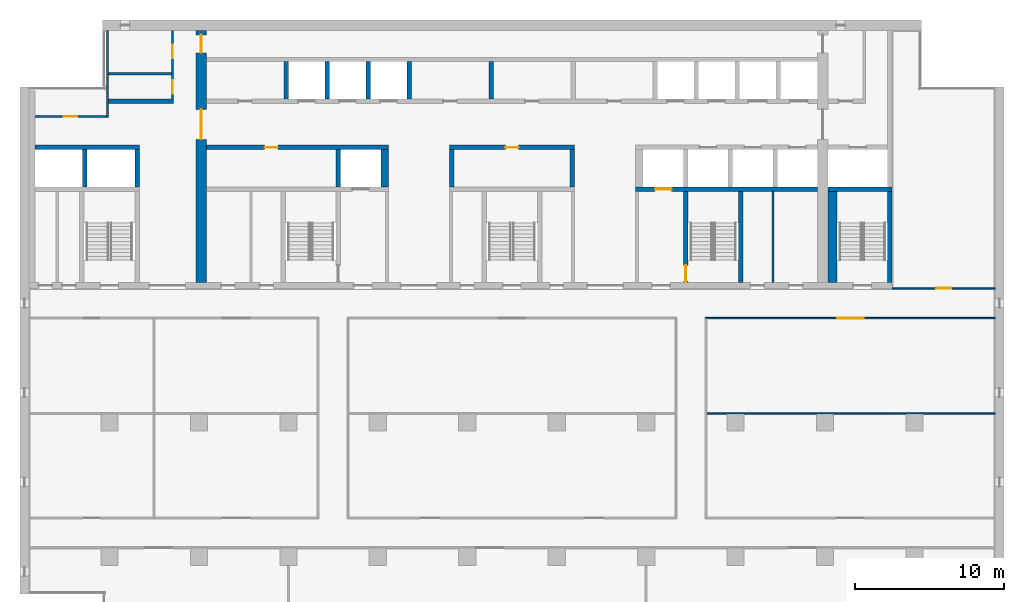
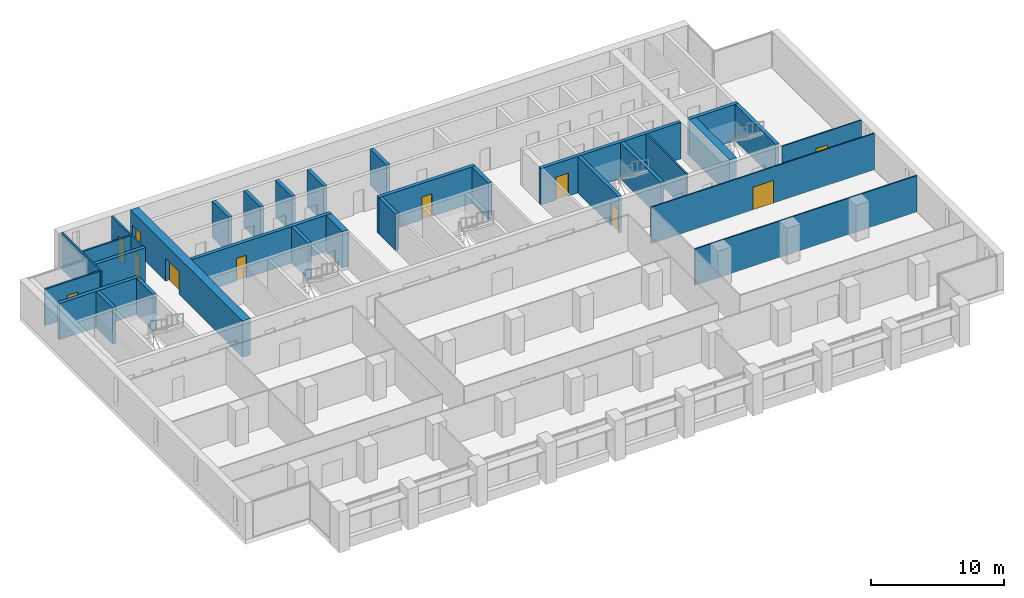
# One storey, part 10 of 16: 30 walls, 11 doors, 11 openings.
"""IFC4 building model written with IfcOpenShell, lengths in metres."""

from ifc_helpers import new_model, si_unit, direction, frame, frame_2d, origin, place, context, subcontext, project, spatial, rectangle, extrude, material, layer, layer_set, type_object, element, fill, save


model = new_model("IFC4")

# Units and contexts
model_context = context("Model", 3, precision=1e-05, world=origin(), true_north=direction((0.0, 1.0)))
body_context = subcontext(model_context, "Body", "Model", "MODEL_VIEW")
ifc_project = project(units=[si_unit("LENGTHUNIT", "METRE"), si_unit("AREAUNIT", "SQUARE_METRE"), si_unit("VOLUMEUNIT", "CUBIC_METRE"), si_unit("PLANEANGLEUNIT", "RADIAN"), si_unit("MASSUNIT", "GRAM", prefix="KILO")], contexts=[model_context])

# Site, building, storey
site_placement = place(None, origin())
site = spatial("IfcSite", under=ifc_project, at=site_placement, CompositionType="ELEMENT")
building_placement = place(site_placement, origin())
building = spatial("IfcBuilding", under=site, at=building_placement, Name="Calvaro Tower", CompositionType="ELEMENT")
storey_placement = place(building_placement, frame((0.0, 0.0, 181.75)))
storey = spatial("IfcBuildingStorey", under=building, at=storey_placement, Name="L45", CompositionType="ELEMENT", Elevation=181.75)

# Walls
ifc_material_1 = material(Name="Blockwork partition", Category="masonry")
ifc_layer_1 = layer(ifc_material_1, 0.14990234375)
ifc_layer_set_1 = layer_set([ifc_layer_1], Name="Blockwork partition")
wall_type_1 = type_object("IfcWallType", Name="Core partition 150 EI 60", PredefinedType="PARTITIONING", material=ifc_layer_set_1)
wall_1_placement = place(storey_placement, frame((56.5, 28.39990234375, 0.0), z_axis=(0.0, 0.0, 1.0), x_axis=(0.0, 1.0, 0.0)))
element("IfcWall", 1, at=wall_1_placement, inside=storey, type_object=wall_type_1, Name="Core partition", PredefinedType="PARTITIONING", context=body_context, shape_type="SweptSolid", body=[
    extrude(rectangle(XDim=6.10009765625, YDim=0.14990234375, at=frame_2d((3.050048828125, 0.0))), origin(), (0.0, 0.0, 1.0), 3.35009765625),
])
wall_2_placement = place(storey_placement, frame((11.949951171875, 42.39990234375, 0.0), z_axis=(0.0, 0.0, 1.0), x_axis=(1.0, 0.0, 0.0)))
element("IfcWall", 2, at=wall_2_placement, inside=storey, type_object=wall_type_1, Name="Core partition", PredefinedType="PARTITIONING", context=body_context, shape_type="SweptSolid", body=[
    extrude(rectangle(XDim=4.199951171875, YDim=0.14990234375, at=frame_2d((2.10009765625, 0.0))), origin(), (0.0, 0.0, 1.0), 3.35009765625),
])

# Wall, openings, doors
ifc_material_2 = material(Name="Blockwork partition", Category="masonry")
ifc_layer_2 = layer(ifc_material_2, 0.14990234375)
ifc_layer_set_2 = layer_set([ifc_layer_2], Name="Blockwork partition")
wall_type_2 = type_object("IfcWallType", Name="Core partition 150 REI 120", PredefinedType="PARTITIONING", material=ifc_layer_set_2)
wall_3_placement = place(storey_placement, frame((16.22509765625, 45.300048828125, 0.0), z_axis=(0.0, 0.0, 1.0), x_axis=(0.0, -1.0, 0.0)))
wall_3 = element("IfcWall", 3, at=wall_3_placement, inside=storey, type_object=wall_type_2, Name="Core partition", PredefinedType="PARTITIONING", context=body_context, shape_type="SweptSolid", body=[
    extrude(rectangle(XDim=4.60009765625, YDim=0.14990234375, at=frame_2d((2.300048828125, 0.0))), origin(), (0.0, 0.0, 1.0), 3.35009765625),
])
opening_1_placement = place(wall_3_placement, frame((3.33740234375, 0.0, 0.0)))
opening_1 = element("IfcOpeningElement", 4, at=opening_1_placement, cuts=wall_3, Name="Opening RD9", PredefinedType="OPENING", context=body_context, shape_type="SweptSolid", body=[
    extrude(rectangle(XDim=0.89990234375, YDim=2.10009765625, at=frame_2d((0.449951171875, 1.050048828125))), frame((0.0, 0.0849609375, 0.0), z_axis=(0.0, -1.0, 0.0), x_axis=(1.0, 0.0, 0.0)), (0.0, 0.0, 1.0), 0.169921875),
])
opening_2_placement = place(wall_3_placement, frame((0.96240234375, 0.0, 0.0)))
opening_2 = element("IfcOpeningElement", 5, at=opening_2_placement, cuts=wall_3, Name="Opening RD9", PredefinedType="OPENING", context=body_context, shape_type="SweptSolid", body=[
    extrude(rectangle(XDim=0.89990234375, YDim=2.10009765625, at=frame_2d((0.449951171875, 1.050048828125))), frame((0.0, 0.0849609375, 0.0), z_axis=(0.0, -1.0, 0.0), x_axis=(1.0, 0.0, 0.0)), (0.0, 0.0, 1.0), 0.169921875),
])
ifc_material_3 = material(Name="Steel door set", Category="steel")
door_type_1 = type_object("IfcDoorType", Name="Room door 900", OperationType="SINGLE_SWING_LEFT", PredefinedType="DOOR", material=ifc_material_3)
door_1_placement = place(opening_1_placement, origin())
door_1 = element("IfcDoor", 6, at=door_1_placement, inside=storey, type_object=door_type_1, Name="Room door", OperationType="SINGLE_SWING_RIGHT", OverallHeight=2.10009765625, OverallWidth=0.89990234375, PredefinedType="DOOR", context=body_context, shape_type="SweptSolid", body=[
    extrude(rectangle(XDim=0.89990234375, YDim=2.10009765625, at=frame_2d((0.449951171875, 1.050048828125))), frame((0.0, 0.02490234375, 0.0), z_axis=(0.0, -1.0, 0.0), x_axis=(1.0, 0.0, 0.0)), (0.0, 0.0, 1.0), 0.050048828125),
])
fill(opening_1, door_1)
door_2_placement = place(opening_2_placement, origin())
door_2 = element("IfcDoor", 7, at=door_2_placement, inside=storey, type_object=door_type_1, Name="Room door", OperationType="SINGLE_SWING_LEFT", OverallHeight=2.10009765625, OverallWidth=0.89990234375, PredefinedType="DOOR", context=body_context, shape_type="SweptSolid", body=[
    extrude(rectangle(XDim=0.89990234375, YDim=2.10009765625, at=frame_2d((0.449951171875, 1.050048828125))), frame((0.0, 0.02490234375, 0.0), z_axis=(0.0, -1.0, 0.0), x_axis=(1.0, 0.0, 0.0)), (0.0, 0.0, 1.0), 0.050048828125),
])
fill(opening_2, door_2)

# Wall
wall_4_placement = place(storey_placement, frame((11.875, 39.449951171875, 0.0), z_axis=(0.0, 0.0, 1.0), x_axis=(0.0, 1.0, 0.0)))
element("IfcWall", 8, at=wall_4_placement, inside=storey, type_object=wall_type_2, Name="Core partition", PredefinedType="PARTITIONING", context=body_context, shape_type="SweptSolid", body=[
    extrude(rectangle(XDim=5.85009765625, YDim=0.14990234375, at=frame_2d((2.925048828125, 0.0))), origin(), (0.0, 0.0, 1.0), 3.35009765625),
])

# Wall, opening, door
wall_5_placement = place(storey_placement, frame((7.0, 39.52490234375, 0.0), z_axis=(0.0, 0.0, 1.0), x_axis=(1.0, 0.0, 0.0)))
wall_5 = element("IfcWall", 9, at=wall_5_placement, inside=storey, type_object=wall_type_2, Name="Core partition", PredefinedType="PARTITIONING", context=body_context, shape_type="SweptSolid", body=[
    extrude(rectangle(XDim=4.800048828125, YDim=0.14990234375, at=frame_2d((2.39990234375, 0.0))), origin(), (0.0, 0.0, 1.0), 3.35009765625),
])
opening_3_placement = place(wall_5_placement, frame((1.949951171875, 0.0, 0.0)))
opening_3 = element("IfcOpeningElement", 10, at=opening_3_placement, cuts=wall_5, Name="Opening RD9", PredefinedType="OPENING", context=body_context, shape_type="SweptSolid", body=[
    extrude(rectangle(XDim=0.89990234375, YDim=2.10009765625, at=frame_2d((0.449951171875, 1.050048828125))), frame((0.0, 0.0849609375, 0.0), z_axis=(0.0, -1.0, 0.0), x_axis=(1.0, 0.0, 0.0)), (0.0, 0.0, 1.0), 0.169921875),
])
door_3_placement = place(opening_3_placement, origin())
door_3 = element("IfcDoor", 11, at=door_3_placement, inside=storey, type_object=door_type_1, Name="Room door", OperationType="SINGLE_SWING_LEFT", OverallHeight=2.10009765625, OverallWidth=0.89990234375, PredefinedType="DOOR", context=body_context, shape_type="SweptSolid", body=[
    extrude(rectangle(XDim=0.89990234375, YDim=2.10009765625, at=frame_2d((0.449951171875, 1.050048828125))), frame((0.0, 0.02490234375, 0.0), z_axis=(0.0, -1.0, 0.0), x_axis=(1.0, 0.0, 0.0)), (0.0, 0.0, 1.0), 0.050048828125),
])
fill(opening_3, door_3)

# Walls
ifc_material_4 = material(Name="Blockwork partition", Category="masonry")
ifc_layer_3 = layer(ifc_material_4, 0.300048828125)
ifc_layer_set_3 = layer_set([ifc_layer_3], Name="Blockwork partition")
wall_type_3 = type_object("IfcWallType", Name="Core partition 300 REI 120", PredefinedType="PARTITIONING", material=ifc_layer_set_3)
wall_6_placement = place(storey_placement, frame((11.949951171875, 40.550048828125, 0.0), z_axis=(0.0, 0.0, 1.0), x_axis=(1.0, 0.0, 0.0)))
element("IfcWall", 12, at=wall_6_placement, inside=storey, type_object=wall_type_3, Name="Core partition", PredefinedType="PARTITIONING", context=body_context, shape_type="SweptSolid", body=[
    extrude(rectangle(XDim=4.35009765625, YDim=0.300048828125, at=frame_2d((2.175048828125, 0.0))), origin(), (0.0, 0.0, 1.0), 3.35009765625),
])
wall_7_placement = place(storey_placement, frame((37.60009765625, 40.699951171875, 0.0), z_axis=(0.0, 0.0, 1.0), x_axis=(0.0, 1.0, 0.0)))
element("IfcWall", 13, at=wall_7_placement, inside=storey, type_object=wall_type_3, Name="Core partition", PredefinedType="PARTITIONING", context=body_context, shape_type="SweptSolid", body=[
    extrude(rectangle(XDim=2.5, YDim=0.300048828125, at=frame_2d((1.25, 0.0))), origin(), (0.0, 0.0, 1.0), 3.35009765625),
])

# Wall, opening, door
ifc_material_5 = material(Name="Concrete C50/60", Category="concrete")
ifc_layer_4 = layer(ifc_material_5, 0.300048828125)
ifc_layer_set_4 = layer_set([ifc_layer_4], Name="Concrete C50/60")
wall_type_4 = type_object("IfcWallType", Name="Core wall C50/60 300", PredefinedType="SHEAR", material=ifc_layer_set_4)
wall_8_placement = place(storey_placement, frame((50.64990234375, 34.5, 0.0), z_axis=(0.0, 0.0, 1.0), x_axis=(0.0, -1.0, 0.0)))
wall_8 = element("IfcWall", 14, at=wall_8_placement, inside=storey, type_object=wall_type_4, Name="Core wall, stair enclosure", PredefinedType="SHEAR", context=body_context, shape_type="SweptSolid", body=[
    extrude(rectangle(XDim=6.10009765625, YDim=0.300048828125, at=frame_2d((3.050048828125, 0.0))), origin(), (0.0, 0.0, 1.0), 3.35009765625),
])
opening_4_placement = place(wall_8_placement, frame((4.949951171875, 0.0, 0.0)))
opening_4 = element("IfcOpeningElement", 15, at=opening_4_placement, cuts=wall_8, Name="Opening FD11D", PredefinedType="OPENING", context=body_context, shape_type="SweptSolid", body=[
    extrude(rectangle(XDim=1.10009765625, YDim=2.10009765625, at=frame_2d((0.550048828125, 1.050048828125))), frame((0.0, 0.159912109375, 0.0), z_axis=(0.0, -1.0, 0.0), x_axis=(1.0, 0.0, 0.0)), (0.0, 0.0, 1.0), 0.320068359375),
])
ifc_material_6 = material(Name="Steel door set", Category="steel")
door_type_2 = type_object("IfcDoorType", Name="Fire door 1100 FD30S", OperationType="SINGLE_SWING_LEFT", PredefinedType="DOOR", material=ifc_material_6)
door_4_placement = place(opening_4_placement, origin())
door_4 = element("IfcDoor", 16, at=door_4_placement, inside=storey, type_object=door_type_2, Name="Fire door", OperationType="SINGLE_SWING_RIGHT", OverallHeight=2.10009765625, OverallWidth=1.10009765625, PredefinedType="DOOR", context=body_context, shape_type="SweptSolid", body=[
    extrude(rectangle(XDim=1.10009765625, YDim=2.10009765625, at=frame_2d((0.550048828125, 1.050048828125))), frame((0.0, 0.02490234375, 0.0), z_axis=(0.0, -1.0, 0.0), x_axis=(1.0, 0.0, 0.0)), (0.0, 0.0, 1.0), 0.050048828125),
])
fill(opening_4, door_4)

# Walls
for number, where, z_axis, x_axis, name in (
    (17, (54.35009765625, 28.39990234375, 0.0), (0.0, 0.0, 1.0), (0.0, 1.0, 0.0), "Core wall, stair enclosure"),
    (18, (64.35009765625, 28.39990234375, 0.0), (0.0, 0.0, 1.0), (0.0, 1.0, 0.0), "Core wall, stair enclosure"),
):
    element("IfcWall", number, at=place(storey_placement, frame(where, z_axis=z_axis, x_axis=x_axis)), inside=storey, type_object=wall_type_4, Name=name, PredefinedType="SHEAR", context=body_context, shape_type="SweptSolid", body=[
        extrude(rectangle(XDim=6.10009765625, YDim=0.300048828125, at=frame_2d((3.050048828125, 0.0))), origin(), (0.0, 0.0, 1.0), 3.35009765625),
    ])

# Wall, opening, door
wall_9_placement = place(storey_placement, frame((47.300048828125, 34.64990234375, 0.0), z_axis=(0.0, 0.0, 1.0), x_axis=(1.0, 0.0, 0.0)))
wall_9 = element("IfcWall", 19, at=wall_9_placement, inside=storey, type_object=wall_type_4, Name="Core wall, lift shaft", PredefinedType="SHEAR", context=body_context, shape_type="SweptSolid", body=[
    extrude(rectangle(XDim=12.199951171875, YDim=0.300048828125, at=frame_2d((6.10009765625, 0.0))), origin(), (0.0, 0.0, 1.0), 3.35009765625),
])
opening_5_placement = place(wall_9_placement, frame((1.300048828125, 0.0, 0.0)))
opening_5 = element("IfcOpeningElement", 20, at=opening_5_placement, cuts=wall_9, Name="Opening FF2", PredefinedType="OPENING", context=body_context, shape_type="SweptSolid", body=[
    extrude(rectangle(XDim=1.10009765625, YDim=2.10009765625, at=frame_2d((0.550048828125, 1.050048828125))), frame((0.0, 0.159912109375, 0.0), z_axis=(0.0, -1.0, 0.0), x_axis=(1.0, 0.0, 0.0)), (0.0, 0.0, 1.0), 0.320068359375),
])
ifc_material_7 = material(Name="Stainless steel", Category="steel")
door_type_3 = type_object("IfcDoorType", Name="Landing door 1100 E 60", OperationType="SLIDING_TO_LEFT", PredefinedType="DOOR", material=ifc_material_7)
door_5_placement = place(opening_5_placement, origin())
door_5 = element("IfcDoor", 21, at=door_5_placement, inside=storey, type_object=door_type_3, Name="Landing door FF2", OperationType="SLIDING_TO_LEFT", OverallHeight=2.10009765625, OverallWidth=1.10009765625, PredefinedType="DOOR", context=body_context, shape_type="SweptSolid", body=[
    extrude(rectangle(XDim=1.10009765625, YDim=2.10009765625, at=frame_2d((0.550048828125, 1.050048828125))), frame((0.0, 0.02490234375, 0.0), z_axis=(0.0, -1.0, 0.0), x_axis=(1.0, 0.0, 0.0)), (0.0, 0.0, 1.0), 0.050048828125),
])
fill(opening_5, door_5)

# Walls
wall_10_placement = place(storey_placement, frame((60.199951171875, 34.64990234375, 0.0), z_axis=(0.0, 0.0, 1.0), x_axis=(1.0, 0.0, 0.0)))
element("IfcWall", 22, at=wall_10_placement, inside=storey, type_object=wall_type_4, Name="Core wall, lift shaft", PredefinedType="SHEAR", context=body_context, shape_type="SweptSolid", body=[
    extrude(rectangle(XDim=4.300048828125, YDim=0.300048828125, at=frame_2d((2.14990234375, 0.0))), origin(), (0.0, 0.0, 1.0), 3.35009765625),
])
wall_11_placement = place(storey_placement, frame((7.0, 37.449951171875, 0.0), z_axis=(0.0, 0.0, 1.0), x_axis=(1.0, 0.0, 0.0)))
element("IfcWall", 23, at=wall_11_placement, inside=storey, type_object=wall_type_4, Name="Core wall, lift shaft", PredefinedType="SHEAR", context=body_context, shape_type="SweptSolid", body=[
    extrude(rectangle(XDim=7.0, YDim=0.300048828125, at=frame_2d((3.5, 0.0))), origin(), (0.0, 0.0, 1.0), 3.35009765625),
])

# Wall, opening, door
wall_12_placement = place(storey_placement, frame((30.699951171875, 37.449951171875, 0.0), z_axis=(0.0, 0.0, 1.0), x_axis=(-1.0, 0.0, 0.0)))
wall_12 = element("IfcWall", 24, at=wall_12_placement, inside=storey, type_object=wall_type_4, Name="Core wall, bay", PredefinedType="SHEAR", context=body_context, shape_type="SweptSolid", body=[
    extrude(rectangle(XDim=12.199951171875, YDim=0.300048828125, at=frame_2d((6.10009765625, 0.0))), origin(), (0.0, 0.0, 1.0), 3.35009765625),
])
opening_6_placement = place(wall_12_placement, frame((7.39990234375, 0.0, 0.0)))
opening_6 = element("IfcOpeningElement", 25, at=opening_6_placement, cuts=wall_12, Name="Opening RD9E", PredefinedType="OPENING", context=body_context, shape_type="SweptSolid", body=[
    extrude(rectangle(XDim=0.89990234375, YDim=2.10009765625, at=frame_2d((0.449951171875, 1.050048828125))), frame((0.0, 0.159912109375, 0.0), z_axis=(0.0, -1.0, 0.0), x_axis=(1.0, 0.0, 0.0)), (0.0, 0.0, 1.0), 0.320068359375),
])
ifc_material_8 = material(Name="Steel door set", Category="steel")
door_type_4 = type_object("IfcDoorType", Name="Room door 900 FD60", OperationType="SINGLE_SWING_LEFT", PredefinedType="DOOR", material=ifc_material_8)
door_6_placement = place(opening_6_placement, origin())
door_6 = element("IfcDoor", 26, at=door_6_placement, inside=storey, type_object=door_type_4, Name="Room door", OperationType="SINGLE_SWING_LEFT", OverallHeight=2.10009765625, OverallWidth=0.89990234375, PredefinedType="DOOR", context=body_context, shape_type="SweptSolid", body=[
    extrude(rectangle(XDim=0.89990234375, YDim=2.10009765625, at=frame_2d((0.449951171875, 1.050048828125))), frame((0.0, 0.02490234375, 0.0), z_axis=(0.0, -1.0, 0.0), x_axis=(1.0, 0.0, 0.0)), (0.0, 0.0, 1.0), 0.050048828125),
])
fill(opening_6, door_6)

wall_13_placement = place(storey_placement, frame((43.199951171875, 37.449951171875, 0.0), z_axis=(0.0, 0.0, 1.0), x_axis=(-1.0, 0.0, 0.0)))
wall_13 = element("IfcWall", 27, at=wall_13_placement, inside=storey, type_object=wall_type_4, Name="Core wall, bay", PredefinedType="SHEAR", context=body_context, shape_type="SweptSolid", body=[
    extrude(rectangle(XDim=8.39990234375, YDim=0.300048828125, at=frame_2d((4.199951171875, 0.0))), origin(), (0.0, 0.0, 1.0), 3.35009765625),
])
opening_7_placement = place(wall_13_placement, frame((3.75, 0.0, 0.0)))
opening_7 = element("IfcOpeningElement", 28, at=opening_7_placement, cuts=wall_13, Name="Opening RD9E", PredefinedType="OPENING", context=body_context, shape_type="SweptSolid", body=[
    extrude(rectangle(XDim=0.89990234375, YDim=2.10009765625, at=frame_2d((0.449951171875, 1.050048828125))), frame((0.0, 0.159912109375, 0.0), z_axis=(0.0, -1.0, 0.0), x_axis=(1.0, 0.0, 0.0)), (0.0, 0.0, 1.0), 0.320068359375),
])
door_7_placement = place(opening_7_placement, origin())
door_7 = element("IfcDoor", 29, at=door_7_placement, inside=storey, type_object=door_type_4, Name="Room door", OperationType="SINGLE_SWING_RIGHT", OverallHeight=2.10009765625, OverallWidth=0.89990234375, PredefinedType="DOOR", context=body_context, shape_type="SweptSolid", body=[
    extrude(rectangle(XDim=0.89990234375, YDim=2.10009765625, at=frame_2d((0.449951171875, 1.050048828125))), frame((0.0, 0.02490234375, 0.0), z_axis=(0.0, -1.0, 0.0), x_axis=(1.0, 0.0, 0.0)), (0.0, 0.0, 1.0), 0.050048828125),
])
fill(opening_7, door_7)

# Walls
for number, where, z_axis, x_axis, name in (
    (30, (27.35009765625, 34.800048828125, 0.0), (0.0, 0.0, 1.0), (0.0, 1.0, 0.0), "Core wall, lift shaft"),
    (31, (34.949951171875, 34.800048828125, 0.0), (0.0, 0.0, 1.0), (0.0, 1.0, 0.0), "Core wall, lift shaft"),
    (32, (43.050048828125, 34.800048828125, 0.0), (0.0, 0.0, 1.0), (0.0, 1.0, 0.0), "Core wall, lift shaft"),
    (33, (13.85009765625, 34.800048828125, 0.0), (0.0, 0.0, 1.0), (0.0, 1.0, 0.0), "Core wall, lift shaft"),
    (34, (23.85009765625, 40.699951171875, 0.0), (0.0, 0.0, 1.0), (0.0, 1.0, 0.0), "Core wall, lift shaft"),
    (35, (26.60009765625, 40.699951171875, 0.0), (0.0, 0.0, 1.0), (0.0, 1.0, 0.0), "Core wall, lift shaft"),
    (36, (29.35009765625, 40.699951171875, 0.0), (0.0, 0.0, 1.0), (0.0, 1.0, 0.0), "Core wall, lift shaft"),
    (37, (32.10009765625, 40.699951171875, 0.0), (0.0, 0.0, 1.0), (0.0, 1.0, 0.0), "Core wall, lift shaft"),
    (38, (10.35009765625, 34.800048828125, 0.0), (0.0, 0.0, 1.0), (0.0, 1.0, 0.0), "Core wall, lift shaft"),
):
    element("IfcWall", number, at=place(storey_placement, frame(where, z_axis=z_axis, x_axis=x_axis)), inside=storey, type_object=wall_type_4, Name=name, PredefinedType="SHEAR", context=body_context, shape_type="SweptSolid", body=[
        extrude(rectangle(XDim=2.5, YDim=0.300048828125, at=frame_2d((1.25, 0.0))), origin(), (0.0, 0.0, 1.0), 3.35009765625),
    ])
ifc_material_9 = material(Name="Concrete C50/60", Category="concrete")
ifc_layer_5 = layer(ifc_material_9, 0.5)
ifc_layer_set_5 = layer_set([ifc_layer_5], Name="Concrete C50/60")
wall_type_5 = type_object("IfcWallType", Name="Core wall C50/60 500", PredefinedType="SHEAR", material=ifc_layer_set_5)
wall_14_placement = place(storey_placement, frame((30.449951171875, 34.800048828125, 0.0), z_axis=(0.0, 0.0, 1.0), x_axis=(0.0, 1.0, 0.0)))
element("IfcWall", 39, at=wall_14_placement, inside=storey, type_object=wall_type_5, Name="Core wall, lift shaft", PredefinedType="SHEAR", context=body_context, shape_type="SweptSolid", body=[
    extrude(rectangle(XDim=2.5, YDim=0.5, at=frame_2d((1.25, 0.0))), origin(), (0.0, 0.0, 1.0), 3.35009765625),
])
ifc_material_10 = material(Name="Concrete C50/60", Category="concrete")
ifc_layer_6 = layer(ifc_material_10, 0.60009765625)
ifc_layer_set_6 = layer_set([ifc_layer_6], Name="Concrete C50/60")
wall_type_6 = type_object("IfcWallType", Name="Core wall C50/60 600", PredefinedType="SHEAR", material=ifc_layer_set_6)
wall_15_placement = place(storey_placement, frame((60.5, 28.39990234375, 0.0), z_axis=(0.0, 0.0, 1.0), x_axis=(0.0, 1.0, 0.0)))
element("IfcWall", 40, at=wall_15_placement, inside=storey, type_object=wall_type_6, Name="Core wall, stair enclosure", PredefinedType="SHEAR", context=body_context, shape_type="SweptSolid", body=[
    extrude(rectangle(XDim=6.10009765625, YDim=0.60009765625, at=frame_2d((3.050048828125, 0.0))), origin(), (0.0, 0.0, 1.0), 3.35009765625),
])

# Wall, openings, doors
ifc_material_11 = material(Name="Concrete C50/60", Category="concrete")
ifc_layer_7 = layer(ifc_material_11, 0.699951171875)
ifc_layer_set_7 = layer_set([ifc_layer_7], Name="Concrete C50/60")
wall_type_7 = type_object("IfcWallType", Name="Core wall C50/60 700", PredefinedType="SHEAR", material=ifc_layer_set_7)
wall_16_placement = place(storey_placement, frame((18.14990234375, 28.39990234375, 0.0), z_axis=(0.0, 0.0, 1.0), x_axis=(0.0, 1.0, 0.0)))
wall_16 = element("IfcWall", 41, at=wall_16_placement, inside=storey, type_object=wall_type_7, Name="Core wall, cross shear wall", PredefinedType="SHEAR", context=body_context, shape_type="SweptSolid", body=[
    extrude(rectangle(XDim=16.900146484375, YDim=0.699951171875, at=frame_2d((8.4501953125, 0.0))), origin(), (0.0, 0.0, 1.0), 3.35009765625),
])
opening_8_placement = place(wall_16_placement, frame((9.60009765625, 0.0, 0.0)))
opening_8 = element("IfcOpeningElement", 42, at=opening_8_placement, cuts=wall_16, Name="Opening DD20D", PredefinedType="OPENING", context=body_context, shape_type="SweptSolid", body=[
    extrude(rectangle(XDim=2.0, YDim=2.10009765625, at=frame_2d((1.0, 1.050048828125))), frame((0.0, 0.35986328125, 0.0), z_axis=(0.0, -1.0, 0.0), x_axis=(1.0, 0.0, 0.0)), (0.0, 0.0, 1.0), 0.719970703125),
])
opening_9_placement = place(wall_16_placement, frame((15.39990234375, 0.0, 0.0)))
opening_9 = element("IfcOpeningElement", 43, at=opening_9_placement, cuts=wall_16, Name="Opening FD12C", PredefinedType="OPENING", context=body_context, shape_type="SweptSolid", body=[
    extrude(rectangle(XDim=1.199951171875, YDim=2.10009765625, at=frame_2d((0.60009765625, 1.050048828125))), frame((0.0, 0.35986328125, 0.0), z_axis=(0.0, -1.0, 0.0), x_axis=(1.0, 0.0, 0.0)), (0.0, 0.0, 1.0), 0.719970703125),
])
ifc_material_12 = material(Name="Steel door set", Category="steel")
door_type_5 = type_object("IfcDoorType", Name="Fire door 1200 FD30", OperationType="SINGLE_SWING_LEFT", PredefinedType="DOOR", material=ifc_material_12)
door_8_placement = place(opening_9_placement, origin())
door_8 = element("IfcDoor", 44, at=door_8_placement, inside=storey, type_object=door_type_5, Name="Fire door", OperationType="SINGLE_SWING_LEFT", OverallHeight=2.10009765625, OverallWidth=1.199951171875, PredefinedType="DOOR", context=body_context, shape_type="SweptSolid", body=[
    extrude(rectangle(XDim=1.199951171875, YDim=2.10009765625, at=frame_2d((0.60009765625, 1.050048828125))), frame((0.0, 0.02490234375, 0.0), z_axis=(0.0, -1.0, 0.0), x_axis=(1.0, 0.0, 0.0)), (0.0, 0.0, 1.0), 0.050048828125),
])
fill(opening_9, door_8)
ifc_material_13 = material(Name="Steel door set", Category="steel")
door_type_6 = type_object("IfcDoorType", Name="Lobby double door 2000 FD30S", OperationType="DOUBLE_DOOR_SINGLE_SWING", PredefinedType="DOOR", material=ifc_material_13)
door_9_placement = place(opening_8_placement, origin())
door_9 = element("IfcDoor", 45, at=door_9_placement, inside=storey, type_object=door_type_6, Name="Lobby double door", OperationType="DOUBLE_DOOR_SINGLE_SWING", OverallHeight=2.10009765625, OverallWidth=2.0, PredefinedType="DOOR", context=body_context, shape_type="SweptSolid", body=[
    extrude(rectangle(XDim=2.0, YDim=2.10009765625, at=frame_2d((1.0, 1.050048828125))), frame((0.0, 0.02490234375, 0.0), z_axis=(0.0, -1.0, 0.0), x_axis=(1.0, 0.0, 0.0)), (0.0, 0.0, 1.0), 0.050048828125),
])
fill(opening_8, door_9)

# Wall
ifc_material_14 = material(Name="Plasterboard on steel studs", Category="steel")
ifc_layer_8 = layer(ifc_material_14, 0.10009765625)
ifc_layer_set_8 = layer_set([ifc_layer_8], Name="Plasterboard on steel studs")
wall_type_8 = type_object("IfcWallType", Name="Partition 100", PredefinedType="PARTITIONING", material=ifc_layer_set_8)
wall_17_placement = place(storey_placement, frame((52.050048828125, 19.60009765625, 0.0), z_axis=(0.0, 0.0, 1.0), x_axis=(1.0, 0.0, 0.0)))
element("IfcWall", 46, at=wall_17_placement, inside=storey, type_object=wall_type_8, Name="Partition T26.W007", PredefinedType="PARTITIONING", context=body_context, shape_type="SweptSolid", body=[
    extrude(rectangle(XDim=19.349853515625, YDim=0.10009765625, at=frame_2d((9.6748046875, 0.0))), origin(), (0.0, 0.0, 1.0), 3.35009765625),
])

# Wall, opening, door
wall_18_placement = place(storey_placement, frame((51.949951171875, 26.0, 0.0), z_axis=(0.0, 0.0, 1.0), x_axis=(1.0, 0.0, 0.0)))
wall_18 = element("IfcWall", 47, at=wall_18_placement, inside=storey, type_object=wall_type_8, Name="Partition T26.W010", PredefinedType="PARTITIONING", context=body_context, shape_type="SweptSolid", body=[
    extrude(rectangle(XDim=19.449951171875, YDim=0.10009765625, at=frame_2d((9.72509765625, 0.0))), origin(), (0.0, 0.0, 1.0), 3.35009765625),
])
opening_10_placement = place(wall_18_placement, frame((8.85009765625, 0.0, 0.0)))
opening_10 = element("IfcOpeningElement", 48, at=opening_10_placement, cuts=wall_18, Name="Opening T26.012", PredefinedType="OPENING", context=body_context, shape_type="SweptSolid", body=[
    extrude(rectangle(XDim=1.800048828125, YDim=2.10009765625, at=frame_2d((0.89990234375, 1.050048828125))), frame((0.0, 0.06005859375, 0.0), z_axis=(0.0, -1.0, 0.0), x_axis=(1.0, 0.0, 0.0)), (0.0, 0.0, 1.0), 0.1201171875),
])
ifc_material_15 = material(Name="Timber", Category="wood")
door_type_7 = type_object("IfcDoorType", Name="Internal double door 1800 x 2100", OperationType="DOUBLE_DOOR_SINGLE_SWING", PredefinedType="DOOR", material=ifc_material_15)
door_10_placement = place(opening_10_placement, origin())
door_10 = element("IfcDoor", 49, at=door_10_placement, inside=storey, type_object=door_type_7, Name="Door T26.012", OperationType="DOUBLE_DOOR_SINGLE_SWING", OverallHeight=2.10009765625, OverallWidth=1.800048828125, PredefinedType="DOOR", context=body_context, shape_type="SweptSolid", body=[
    extrude(rectangle(XDim=1.800048828125, YDim=2.10009765625, at=frame_2d((0.89990234375, 1.050048828125))), frame((0.0, 0.02490234375, 0.0), z_axis=(0.0, -1.0, 0.0), x_axis=(1.0, 0.0, 0.0)), (0.0, 0.0, 1.0), 0.050048828125),
])
fill(opening_10, door_10)

ifc_material_16 = material(Name="Plasterboard on steel studs", Category="steel")
ifc_layer_9 = layer(ifc_material_16, 0.10009765625)
ifc_layer_set_9 = layer_set([ifc_layer_9], Name="Plasterboard on steel studs")
wall_type_9 = type_object("IfcWallType", Name="Partition 100 REI 120", PredefinedType="PARTITIONING", material=ifc_layer_set_9)
wall_19_placement = place(storey_placement, frame((64.5, 28.0, 0.0), z_axis=(0.0, 0.0, 1.0), x_axis=(1.0, 0.0, 0.0)))
wall_19 = element("IfcWall", 50, at=wall_19_placement, inside=storey, type_object=wall_type_9, Name="Partition T26.W011", PredefinedType="PARTITIONING", context=body_context, shape_type="SweptSolid", body=[
    extrude(rectangle(XDim=6.89990234375, YDim=0.10009765625, at=frame_2d((3.449951171875, 0.0))), origin(), (0.0, 0.0, 1.0), 3.35009765625),
])
opening_11_placement = place(wall_19_placement, frame((2.949951171875, 0.0, 0.0)))
opening_11 = element("IfcOpeningElement", 51, at=opening_11_placement, cuts=wall_19, Name="Opening T26.013", PredefinedType="OPENING", context=body_context, shape_type="SweptSolid", body=[
    extrude(rectangle(XDim=1.0, YDim=2.10009765625, at=frame_2d((0.5, 1.050048828125))), frame((0.0, 0.06005859375, 0.0), z_axis=(0.0, -1.0, 0.0), x_axis=(1.0, 0.0, 0.0)), (0.0, 0.0, 1.0), 0.1201171875),
])
ifc_material_17 = material(Name="Timber", Category="wood")
door_type_8 = type_object("IfcDoorType", Name="Internal single door 1000 x 2100 FD60", OperationType="SINGLE_SWING_LEFT", PredefinedType="DOOR", material=ifc_material_17)
door_11_placement = place(opening_11_placement, origin())
door_11 = element("IfcDoor", 52, at=door_11_placement, inside=storey, type_object=door_type_8, Name="Door T26.013", OperationType="SINGLE_SWING_LEFT", OverallHeight=2.10009765625, OverallWidth=1.0, PredefinedType="DOOR", context=body_context, shape_type="SweptSolid", body=[
    extrude(rectangle(XDim=1.0, YDim=2.10009765625, at=frame_2d((0.5, 1.050048828125))), frame((0.0, 0.02490234375, 0.0), z_axis=(0.0, -1.0, 0.0), x_axis=(1.0, 0.0, 0.0)), (0.0, 0.0, 1.0), 0.050048828125),
])
fill(opening_11, door_11)

save(model, "model.ifc")
